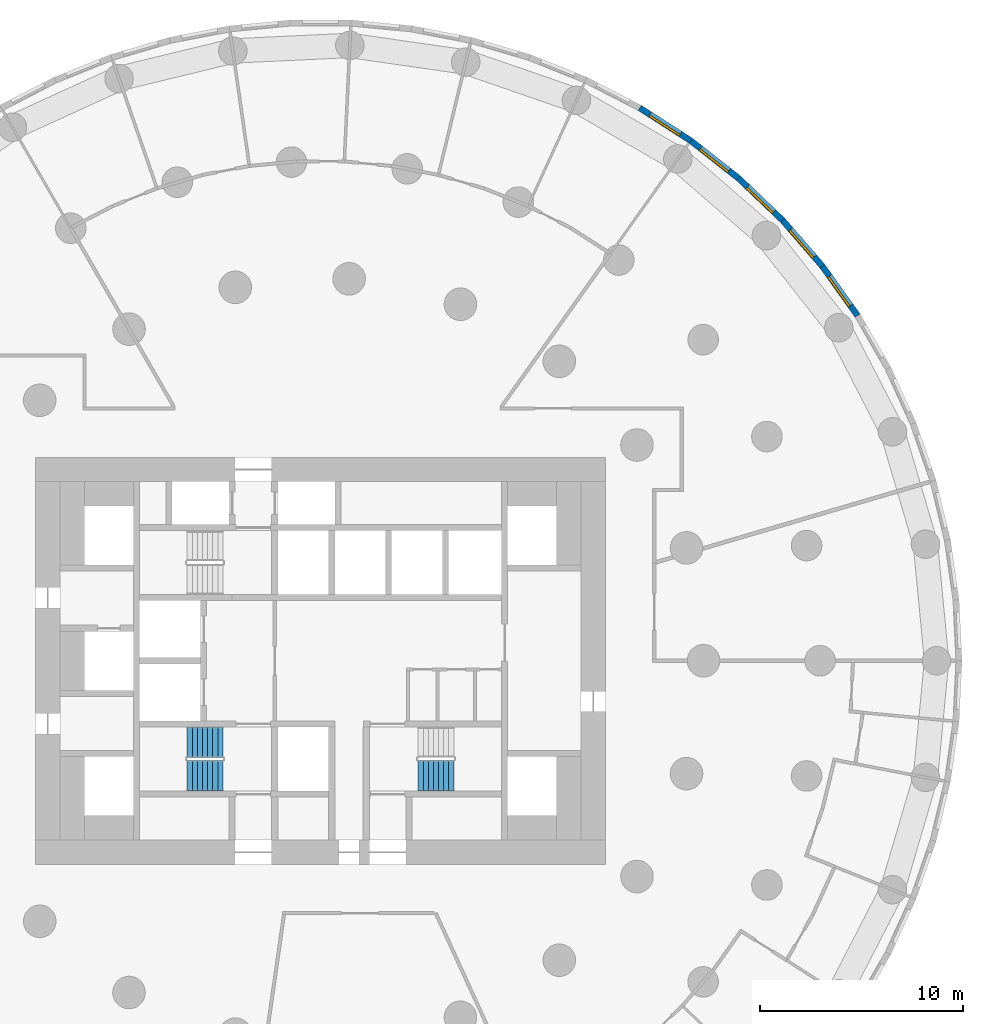
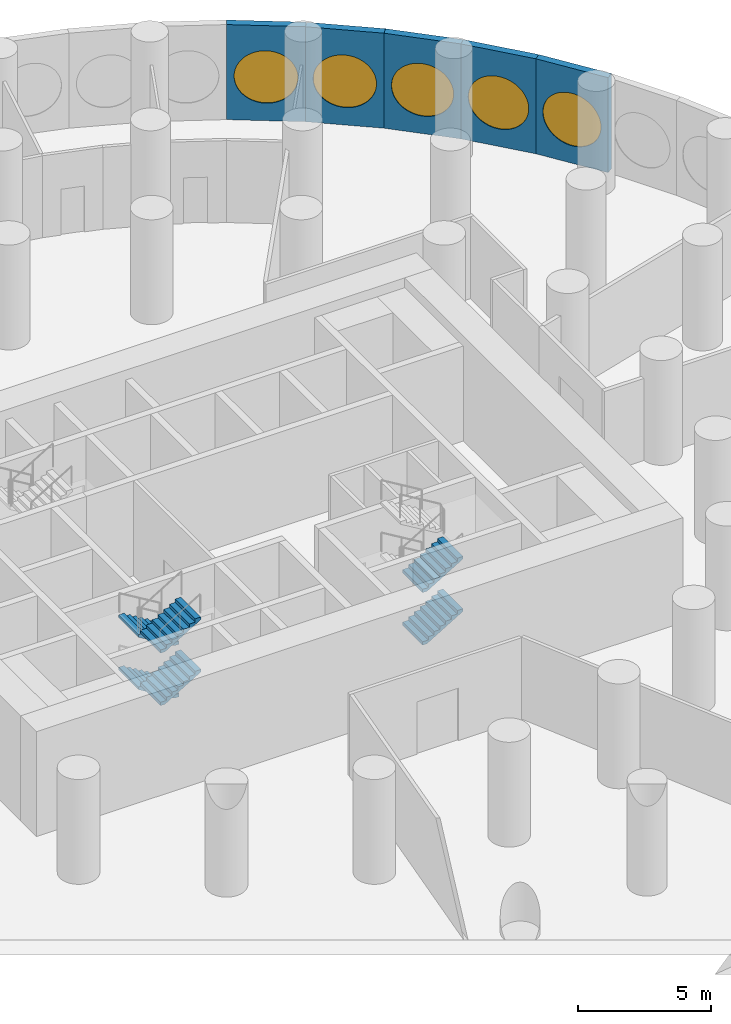
# One storey, part 9 of 11: 6 stair flights, 5 walls, 5 windows, 5 openings, 2 elements without a shape of their own.
"""IFC4 building model written with IfcOpenShell, lengths in metres."""

from ifc_helpers import new_model, si_unit, direction, frame, frame_2d, origin, origin_2d, place, context, subcontext, project, spatial, polyline, rectangle, circle, outline, extrude, material, layer, layer_set, type_object, element, fill, aggregate, save


model = new_model("IFC4")

# Units and contexts
model_context = context("Model", 3, precision=1e-05, world=origin(), true_north=direction((0.0, 1.0)))
body_context = subcontext(model_context, "Body", "Model", "MODEL_VIEW")
ifc_project = project(units=[si_unit("LENGTHUNIT", "METRE"), si_unit("AREAUNIT", "SQUARE_METRE"), si_unit("VOLUMEUNIT", "CUBIC_METRE"), si_unit("PLANEANGLEUNIT", "RADIAN"), si_unit("MASSUNIT", "GRAM", prefix="KILO")], contexts=[model_context])

# Site, building, storey
site_placement = place(None, origin())
site = spatial("IfcSite", under=ifc_project, at=site_placement, CompositionType="ELEMENT")
building_placement = place(site_placement, origin())
building = spatial("IfcBuilding", under=site, at=building_placement, Name="Tracery Tower", CompositionType="ELEMENT")
storey_placement = place(building_placement, frame((0.0, 0.0, 18.60009765625)))
storey = spatial("IfcBuildingStorey", under=building, at=storey_placement, Name="L03", CompositionType="ELEMENT", Elevation=18.60009765625)

# Wall, opening, window
ifc_material_1 = material(Name="Precast concrete C50/60", Category="concrete")
ifc_layer = layer(ifc_material_1, 0.300048828125)
ifc_layer_set = layer_set([ifc_layer], Name="Facade panel 3000 x 4350")
wall_type = type_object("IfcWallType", Name="Facade panel 3000 x 4350", PredefinedType="SOLIDWALL", material=ifc_layer_set)
wall_1_placement = place(storey_placement, frame((26.393798828125, 16.96240234375, 0.0), z_axis=(0.0, 0.0, 1.0), x_axis=(-0.580100533892, 0.814544885551, 0.0)))
wall_1 = element("IfcWall", 1, at=wall_1_placement, inside=storey, type_object=wall_type, Name="Facade panel 7 at L03", PredefinedType="SOLIDWALL", context=body_context, shape_type="SweptSolid", body=[
    extrude(rectangle(XDim=2.985595703125, YDim=0.300048828125, at=frame_2d((1.49267578125, 0.0))), origin(), (0.0, 0.0, 1.0), 4.349853515625),
])
opening_1_placement = place(wall_1_placement, frame((1.492919921875, 0.0, 2.0)))
opening_1 = element("IfcOpeningElement", 2, at=opening_1_placement, cuts=wall_1, Name="Opening WN2", PredefinedType="OPENING", context=body_context, shape_type="SweptSolid", body=[
    extrude(circle(Radius=1.199951171875, at=origin_2d()), frame((0.0, 0.159912109375, 0.0), z_axis=(0.0, -1.0, 0.0), x_axis=(1.0, 0.0, 0.0)), (0.0, 0.0, 1.0), 0.320068359375),
])
ifc_material_2 = material(Name="Aluminium frame with tinted double glazing", Category="aluminium")
window_type = type_object("IfcWindowType", Name="Round window 2400", PartitioningType="SINGLE_PANEL", PredefinedType="WINDOW", material=ifc_material_2)
window_1_placement = place(opening_1_placement, origin())
window_1 = element("IfcWindow", 3, at=window_1_placement, inside=storey, type_object=window_type, Name="Round window 7 at L03", OverallHeight=2.39990234375, OverallWidth=2.39990234375, PartitioningType="SINGLE_PANEL", PredefinedType="WINDOW", context=body_context, shape_type="SweptSolid", body=[
    extrude(circle(Radius=1.199951171875, at=origin_2d()), frame((0.0, 0.1201171875, 0.0), z_axis=(0.0, -1.0, 0.0), x_axis=(1.0, 0.0, 0.0)), (0.0, 0.0, 1.0), 0.10009765625),
])
fill(opening_1, window_1)

wall_2_placement = place(storey_placement, frame((24.661865234375, 19.394287109375, 0.0), z_axis=(0.0, 0.0, 1.0), x_axis=(-0.654809121128, 0.755794294029, 0.0)))
wall_2 = element("IfcWall", 4, at=wall_2_placement, inside=storey, type_object=wall_type, Name="Facade panel 8 at L03", PredefinedType="SOLIDWALL", context=body_context, shape_type="SweptSolid", body=[
    extrude(rectangle(XDim=2.98583984375, YDim=0.300048828125, at=frame_2d((1.492919921875, 0.0))), origin(), (0.0, 0.0, 1.0), 4.349853515625),
])
opening_2_placement = place(wall_2_placement, frame((1.492919921875, 0.0, 2.0)))
opening_2 = element("IfcOpeningElement", 5, at=opening_2_placement, cuts=wall_2, Name="Opening WN2", PredefinedType="OPENING", context=body_context, shape_type="SweptSolid", body=[
    extrude(circle(Radius=1.199951171875, at=origin_2d()), frame((0.0, 0.159912109375, 0.0), z_axis=(0.0, -1.0, 0.0), x_axis=(1.0, 0.0, 0.0)), (0.0, 0.0, 1.0), 0.320068359375),
])
window_2_placement = place(opening_2_placement, origin())
window_2 = element("IfcWindow", 6, at=window_2_placement, inside=storey, type_object=window_type, Name="Round window 8 at L03", OverallHeight=2.39990234375, OverallWidth=2.39990234375, PartitioningType="SINGLE_PANEL", PredefinedType="WINDOW", context=body_context, shape_type="SweptSolid", body=[
    extrude(circle(Radius=1.199951171875, at=origin_2d()), frame((0.0, 0.1201171875, 0.0), z_axis=(0.0, -1.0, 0.0), x_axis=(1.0, 0.0, 0.0)), (0.0, 0.0, 1.0), 0.10009765625),
])
fill(opening_2, window_2)

wall_3_placement = place(storey_placement, frame((22.706787109375, 21.65087890625, 0.0), z_axis=(0.0, 0.0, 1.0), x_axis=(-0.723750841228, 0.690061388444, 0.0)))
wall_3 = element("IfcWall", 7, at=wall_3_placement, inside=storey, type_object=wall_type, Name="Facade panel 9 at L03", PredefinedType="SOLIDWALL", context=body_context, shape_type="SweptSolid", body=[
    extrude(rectangle(XDim=2.985595703125, YDim=0.300048828125, at=frame_2d((1.49267578125, 0.0))), origin(), (0.0, 0.0, 1.0), 4.349853515625),
])
opening_3_placement = place(wall_3_placement, frame((1.492919921875, 0.0, 2.0)))
opening_3 = element("IfcOpeningElement", 8, at=opening_3_placement, cuts=wall_3, Name="Opening WN2", PredefinedType="OPENING", context=body_context, shape_type="SweptSolid", body=[
    extrude(circle(Radius=1.199951171875, at=origin_2d()), frame((0.0, 0.159912109375, 0.0), z_axis=(0.0, -1.0, 0.0), x_axis=(1.0, 0.0, 0.0)), (0.0, 0.0, 1.0), 0.320068359375),
])
window_3_placement = place(opening_3_placement, origin())
window_3 = element("IfcWindow", 9, at=window_3_placement, inside=storey, type_object=window_type, Name="Round window 9 at L03", OverallHeight=2.39990234375, OverallWidth=2.39990234375, PartitioningType="SINGLE_PANEL", PredefinedType="WINDOW", context=body_context, shape_type="SweptSolid", body=[
    extrude(circle(Radius=1.199951171875, at=origin_2d()), frame((0.0, 0.1201171875, 0.0), z_axis=(0.0, -1.0, 0.0), x_axis=(1.0, 0.0, 0.0)), (0.0, 0.0, 1.0), 0.10009765625),
])
fill(opening_3, window_3)

wall_4_placement = place(storey_placement, frame((20.5458984375, 23.711181640625, 0.0), z_axis=(0.0, 0.0, 1.0), x_axis=(-0.786043032847, 0.618171780747, 0.0)))
wall_4 = element("IfcWall", 10, at=wall_4_placement, inside=storey, type_object=wall_type, Name="Facade panel 10 at L03", PredefinedType="SOLIDWALL", context=body_context, shape_type="SweptSolid", body=[
    extrude(rectangle(XDim=2.98583984375, YDim=0.300048828125, at=frame_2d((1.492919921875, 0.0))), origin(), (0.0, 0.0, 1.0), 4.349853515625),
])
opening_4_placement = place(wall_4_placement, frame((1.492919921875, 0.0, 2.0)))
opening_4 = element("IfcOpeningElement", 11, at=opening_4_placement, cuts=wall_4, Name="Opening WN2", PredefinedType="OPENING", context=body_context, shape_type="SweptSolid", body=[
    extrude(circle(Radius=1.199951171875, at=origin_2d()), frame((0.0, 0.159912109375, 0.0), z_axis=(0.0, -1.0, 0.0), x_axis=(1.0, 0.0, 0.0)), (0.0, 0.0, 1.0), 0.320068359375),
])
window_4_placement = place(opening_4_placement, origin())
window_4 = element("IfcWindow", 12, at=window_4_placement, inside=storey, type_object=window_type, Name="Round window 10 at L03", OverallHeight=2.39990234375, OverallWidth=2.39990234375, PartitioningType="SINGLE_PANEL", PredefinedType="WINDOW", context=body_context, shape_type="SweptSolid", body=[
    extrude(circle(Radius=1.199951171875, at=origin_2d()), frame((0.0, 0.1201171875, 0.0), z_axis=(0.0, -1.0, 0.0), x_axis=(1.0, 0.0, 0.0)), (0.0, 0.0, 1.0), 0.10009765625),
])
fill(opening_4, window_4)

wall_5_placement = place(storey_placement, frame((18.198974609375, 25.556884765625, 0.0), z_axis=(0.0, 0.0, 1.0), x_axis=(-0.841242231846, 0.540658401727, 0.0)))
wall_5 = element("IfcWall", 13, at=wall_5_placement, inside=storey, type_object=wall_type, Name="Facade panel 11 at L03", PredefinedType="SOLIDWALL", context=body_context, shape_type="SweptSolid", body=[
    extrude(rectangle(XDim=2.98583984375, YDim=0.300048828125, at=frame_2d((1.492919921875, 0.0))), origin(), (0.0, 0.0, 1.0), 4.349853515625),
])
opening_5_placement = place(wall_5_placement, frame((1.492919921875, 0.0, 2.0)))
opening_5 = element("IfcOpeningElement", 14, at=opening_5_placement, cuts=wall_5, Name="Opening WN2", PredefinedType="OPENING", context=body_context, shape_type="SweptSolid", body=[
    extrude(circle(Radius=1.199951171875, at=origin_2d()), frame((0.0, 0.159912109375, 0.0), z_axis=(0.0, -1.0, 0.0), x_axis=(1.0, 0.0, 0.0)), (0.0, 0.0, 1.0), 0.320068359375),
])
window_5_placement = place(opening_5_placement, origin())
window_5 = element("IfcWindow", 15, at=window_5_placement, inside=storey, type_object=window_type, Name="Round window 11 at L03", OverallHeight=2.39990234375, OverallWidth=2.39990234375, PartitioningType="SINGLE_PANEL", PredefinedType="WINDOW", context=body_context, shape_type="SweptSolid", body=[
    extrude(circle(Radius=1.199951171875, at=origin_2d()), frame((0.0, 0.1201171875, 0.0), z_axis=(0.0, -1.0, 0.0), x_axis=(1.0, 0.0, 0.0)), (0.0, 0.0, 1.0), 0.10009765625),
])
fill(opening_5, window_5)

# Stair, stair flights
ifc_material_3 = material(Name="Concrete C32/40", Category="concrete")
stair_type = type_object("IfcStairType", Name="Core stair 32 risers", PredefinedType="HALF_TURN_STAIR", material=ifc_material_3)
stair_1_placement = place(storey_placement, origin())
stair_1 = element("IfcStair", 16, at=stair_1_placement, inside=storey, type_object=stair_type, Name="L03 stair ST1", PredefinedType="HALF_TURN_STAIR")
ifc_material_4 = material(Name="Concrete C32/40", Category="concrete")
stair_flight_type = type_object("IfcStairFlightType", Name="Core stair flight 8 risers", PredefinedType="STRAIGHT", material=ifc_material_4)
stair_flight_1_placement = place(storey_placement, frame((-4.800048828125, -4.0, 0.0), z_axis=(0.0, 0.0, 1.0), x_axis=(-1.0, 0.0, 0.0)))
stair_flight_1 = element("IfcStairFlight", 17, at=stair_flight_1_placement, type_object=stair_flight_type, Name="ST1 flight 1", NumberOfRisers=8, NumberOfTreads=7, PredefinedType="STRAIGHT", RiserHeight=0.15, TreadLength=0.25, context=body_context, shape_type="SweptSolid", body=[
    extrude(outline(polyline([(0.0, 0.0), (0.0, 0.00244140625), (0.0, 0.0048828125), (0.0, 0.00732421875), (0.0, 0.009765625), (0.0, 0.01220703125), (0.0, 0.0146484375), (0.0, 0.017333984375), (0.0, 0.019775390625), (0.0, 0.022216796875), (0.0, 0.024658203125), (0.0, 0.027099609375), (0.0, 0.029541015625), (0.0, 0.031982421875), (0.0, 0.034423828125), (0.0, 0.036865234375), (0.0, 0.039306640625), (0.0, 0.041748046875), (0.0, 0.044189453125), (0.0, 0.046630859375), (0.0, 0.049072265625), (0.0, 0.0517578125), (0.0, 0.05419921875), (0.0, 0.056640625), (0.0, 0.05908203125), (0.0, 0.0615234375), (0.0, 0.06396484375), (0.0, 0.06640625), (0.0, 0.06884765625), (0.0, 0.0712890625), (0.0, 0.07373046875), (0.0, 0.076171875), (0.0, 0.07861328125), (0.0, 0.0810546875), (0.0, 0.08349609375), (0.0, 0.086181640625), (0.0, 0.088623046875), (0.0, 0.091064453125), (0.0, 0.093505859375), (0.0, 0.095947265625), (0.0, 0.098388671875), (0.0, 0.100830078125), (0.0, 0.103271484375), (0.0, 0.105712890625), (0.0, 0.108154296875), (0.0, 0.110595703125), (0.0, 0.113037109375), (0.0, 0.115478515625), (0.0, 0.117919921875), (0.0, 0.12060546875), (0.0, 0.123046875), (0.0, 0.12548828125), (0.0, 0.1279296875), (0.0, 0.13037109375), (0.0, 0.1328125), (0.0, 0.13525390625), (0.0, 0.1376953125), (0.0, 0.14013671875), (0.0, 0.142578125), (0.0, 0.14501953125), (0.0, 0.1474609375), (0.0, 0.14990234375), (0.25, 0.14990234375), (0.25, 0.300048828125), (0.5, 0.300048828125), (0.5, 0.449951171875), (0.75, 0.449951171875), (0.75, 0.60009765625), (1.0, 0.60009765625), (1.0, 0.75), (1.25, 0.75), (1.25, 0.89990234375), (1.5, 0.89990234375), (1.5, 1.050048828125), (1.75, 1.050048828125), (1.75, 1.048095703125), (1.75, 1.046142578125), (1.75, 1.044189453125), (1.75, 1.042236328125), (1.75, 1.04052734375), (1.75, 1.03857421875), (1.75, 1.03662109375), (1.75, 1.03466796875), (1.75, 1.03271484375), (1.75, 1.03076171875), (1.75, 1.029052734375), (1.75, 1.027099609375), (1.75, 1.025146484375), (1.75, 1.023193359375), (1.75, 1.021240234375), (1.75, 1.019287109375), (1.75, 1.017578125), (1.75, 1.015625), (1.75, 1.013671875), (1.75, 1.01171875), (1.75, 1.009765625), (1.75, 1.0078125), (1.75, 1.006103515625), (1.75, 1.004150390625), (1.75, 1.002197265625), (1.75, 1.000244140625), (1.75, 0.998291015625), (1.75, 0.996337890625), (1.75, 0.994384765625), (1.75, 0.99267578125), (1.75, 0.99072265625), (1.75, 0.98876953125), (1.75, 0.98681640625), (1.75, 0.98486328125), (1.75, 0.98291015625), (1.75, 0.981201171875), (1.75, 0.979248046875), (1.75, 0.977294921875), (1.75, 0.975341796875), (1.75, 0.973388671875), (1.75, 0.971435546875), (1.75, 0.9697265625), (1.75, 0.9677734375), (1.75, 0.9658203125), (1.75, 0.9638671875), (1.75, 0.9619140625), (1.75, 0.9599609375), (1.75, 0.958251953125), (1.75, 0.956298828125), (1.75, 0.954345703125), (1.75, 0.952392578125), (1.75, 0.950439453125), (1.75, 0.948486328125), (1.75, 0.94677734375), (1.75, 0.94482421875), (1.75, 0.94287109375), (1.75, 0.94091796875), (1.75, 0.93896484375), (1.75, 0.93701171875), (1.75, 0.935302734375), (1.75, 0.933349609375), (0.194580078125, 0.0), (0.0, 0.0)])), frame((0.0, 0.75, 0.0), z_axis=(0.0, -1.0, 0.0), x_axis=(1.0, 0.0, 0.0)), (0.0, 0.0, 1.0), 1.5),
])
stair_flight_2_placement = place(storey_placement, frame((-6.550048828125, -5.64990234375, 1.199951171875), z_axis=(0.0, 0.0, 1.0), x_axis=(1.0, 0.0, 0.0)))
stair_flight_2 = element("IfcStairFlight", 18, at=stair_flight_2_placement, type_object=stair_flight_type, Name="ST1 flight 2", NumberOfRisers=8, NumberOfTreads=7, PredefinedType="STRAIGHT", RiserHeight=0.15, TreadLength=0.25, context=body_context, shape_type="SweptSolid", body=[
    extrude(outline(polyline([(0.0, 0.0), (0.0, 0.00244140625), (0.0, 0.0048828125), (0.0, 0.00732421875), (0.0, 0.009765625), (0.0, 0.01220703125), (0.0, 0.0146484375), (0.0, 0.017333984375), (0.0, 0.019775390625), (0.0, 0.022216796875), (0.0, 0.024658203125), (0.0, 0.027099609375), (0.0, 0.029541015625), (0.0, 0.031982421875), (0.0, 0.034423828125), (0.0, 0.036865234375), (0.0, 0.039306640625), (0.0, 0.041748046875), (0.0, 0.044189453125), (0.0, 0.046630859375), (0.0, 0.049072265625), (0.0, 0.0517578125), (0.0, 0.05419921875), (0.0, 0.056640625), (0.0, 0.05908203125), (0.0, 0.0615234375), (0.0, 0.06396484375), (0.0, 0.06640625), (0.0, 0.06884765625), (0.0, 0.0712890625), (0.0, 0.07373046875), (0.0, 0.076171875), (0.0, 0.07861328125), (0.0, 0.0810546875), (0.0, 0.08349609375), (0.0, 0.086181640625), (0.0, 0.088623046875), (0.0, 0.091064453125), (0.0, 0.093505859375), (0.0, 0.095947265625), (0.0, 0.098388671875), (0.0, 0.100830078125), (0.0, 0.103271484375), (0.0, 0.105712890625), (0.0, 0.108154296875), (0.0, 0.110595703125), (0.0, 0.113037109375), (0.0, 0.115478515625), (0.0, 0.117919921875), (0.0, 0.12060546875), (0.0, 0.123046875), (0.0, 0.12548828125), (0.0, 0.1279296875), (0.0, 0.13037109375), (0.0, 0.1328125), (0.0, 0.13525390625), (0.0, 0.1376953125), (0.0, 0.14013671875), (0.0, 0.142578125), (0.0, 0.14501953125), (0.0, 0.1474609375), (0.0, 0.14990234375), (0.25, 0.14990234375), (0.25, 0.300048828125), (0.5, 0.300048828125), (0.5, 0.449951171875), (0.75, 0.449951171875), (0.75, 0.60009765625), (1.0, 0.60009765625), (1.0, 0.75), (1.25, 0.75), (1.25, 0.89990234375), (1.5, 0.89990234375), (1.5, 1.050048828125), (1.75, 1.050048828125), (1.75, 1.048095703125), (1.75, 1.046142578125), (1.75, 1.044189453125), (1.75, 1.042236328125), (1.75, 1.04052734375), (1.75, 1.03857421875), (1.75, 1.03662109375), (1.75, 1.03466796875), (1.75, 1.03271484375), (1.75, 1.03076171875), (1.75, 1.029052734375), (1.75, 1.027099609375), (1.75, 1.025146484375), (1.75, 1.023193359375), (1.75, 1.021240234375), (1.75, 1.019287109375), (1.75, 1.017578125), (1.75, 1.015625), (1.75, 1.013671875), (1.75, 1.01171875), (1.75, 1.009765625), (1.75, 1.0078125), (1.75, 1.006103515625), (1.75, 1.004150390625), (1.75, 1.002197265625), (1.75, 1.000244140625), (1.75, 0.998291015625), (1.75, 0.996337890625), (1.75, 0.994384765625), (1.75, 0.99267578125), (1.75, 0.99072265625), (1.75, 0.98876953125), (1.75, 0.98681640625), (1.75, 0.98486328125), (1.75, 0.98291015625), (1.75, 0.981201171875), (1.75, 0.979248046875), (1.75, 0.977294921875), (1.75, 0.975341796875), (1.75, 0.973388671875), (1.75, 0.971435546875), (1.75, 0.9697265625), (1.75, 0.9677734375), (1.75, 0.9658203125), (1.75, 0.9638671875), (1.75, 0.9619140625), (1.75, 0.9599609375), (1.75, 0.958251953125), (1.75, 0.956298828125), (1.75, 0.954345703125), (1.75, 0.952392578125), (1.75, 0.950439453125), (1.75, 0.948486328125), (1.75, 0.94677734375), (1.75, 0.94482421875), (1.75, 0.94287109375), (1.75, 0.94091796875), (1.75, 0.93896484375), (1.75, 0.93701171875), (1.75, 0.935302734375), (1.75, 0.933349609375), (0.194580078125, 0.0), (0.0, 0.0)])), frame((0.0, 0.75, 0.0), z_axis=(0.0, -1.0, 0.0), x_axis=(1.0, 0.0, 0.0)), (0.0, 0.0, 1.0), 1.5),
])
stair_flight_3_placement = place(storey_placement, frame((-4.800048828125, -4.0, 2.39990234375), z_axis=(0.0, 0.0, 1.0), x_axis=(-1.0, 0.0, 0.0)))
stair_flight_3 = element("IfcStairFlight", 19, at=stair_flight_3_placement, type_object=stair_flight_type, Name="ST1 flight 3", NumberOfRisers=8, NumberOfTreads=7, PredefinedType="STRAIGHT", RiserHeight=0.15, TreadLength=0.25, context=body_context, shape_type="SweptSolid", body=[
    extrude(outline(polyline([(0.0, 0.0), (0.0, 0.00244140625), (0.0, 0.0048828125), (0.0, 0.00732421875), (0.0, 0.009765625), (0.0, 0.01220703125), (0.0, 0.0146484375), (0.0, 0.017333984375), (0.0, 0.019775390625), (0.0, 0.022216796875), (0.0, 0.024658203125), (0.0, 0.027099609375), (0.0, 0.029541015625), (0.0, 0.031982421875), (0.0, 0.034423828125), (0.0, 0.036865234375), (0.0, 0.039306640625), (0.0, 0.041748046875), (0.0, 0.044189453125), (0.0, 0.046630859375), (0.0, 0.049072265625), (0.0, 0.0517578125), (0.0, 0.05419921875), (0.0, 0.056640625), (0.0, 0.05908203125), (0.0, 0.0615234375), (0.0, 0.06396484375), (0.0, 0.06640625), (0.0, 0.06884765625), (0.0, 0.0712890625), (0.0, 0.07373046875), (0.0, 0.076171875), (0.0, 0.07861328125), (0.0, 0.0810546875), (0.0, 0.08349609375), (0.0, 0.086181640625), (0.0, 0.088623046875), (0.0, 0.091064453125), (0.0, 0.093505859375), (0.0, 0.095947265625), (0.0, 0.098388671875), (0.0, 0.100830078125), (0.0, 0.103271484375), (0.0, 0.105712890625), (0.0, 0.108154296875), (0.0, 0.110595703125), (0.0, 0.113037109375), (0.0, 0.115478515625), (0.0, 0.117919921875), (0.0, 0.12060546875), (0.0, 0.123046875), (0.0, 0.12548828125), (0.0, 0.1279296875), (0.0, 0.13037109375), (0.0, 0.1328125), (0.0, 0.13525390625), (0.0, 0.1376953125), (0.0, 0.14013671875), (0.0, 0.142578125), (0.0, 0.14501953125), (0.0, 0.1474609375), (0.0, 0.14990234375), (0.25, 0.14990234375), (0.25, 0.300048828125), (0.5, 0.300048828125), (0.5, 0.449951171875), (0.75, 0.449951171875), (0.75, 0.60009765625), (1.0, 0.60009765625), (1.0, 0.75), (1.25, 0.75), (1.25, 0.89990234375), (1.5, 0.89990234375), (1.5, 1.050048828125), (1.75, 1.050048828125), (1.75, 1.048095703125), (1.75, 1.046142578125), (1.75, 1.044189453125), (1.75, 1.042236328125), (1.75, 1.04052734375), (1.75, 1.03857421875), (1.75, 1.03662109375), (1.75, 1.03466796875), (1.75, 1.03271484375), (1.75, 1.03076171875), (1.75, 1.029052734375), (1.75, 1.027099609375), (1.75, 1.025146484375), (1.75, 1.023193359375), (1.75, 1.021240234375), (1.75, 1.019287109375), (1.75, 1.017578125), (1.75, 1.015625), (1.75, 1.013671875), (1.75, 1.01171875), (1.75, 1.009765625), (1.75, 1.0078125), (1.75, 1.006103515625), (1.75, 1.004150390625), (1.75, 1.002197265625), (1.75, 1.000244140625), (1.75, 0.998291015625), (1.75, 0.996337890625), (1.75, 0.994384765625), (1.75, 0.99267578125), (1.75, 0.99072265625), (1.75, 0.98876953125), (1.75, 0.98681640625), (1.75, 0.98486328125), (1.75, 0.98291015625), (1.75, 0.981201171875), (1.75, 0.979248046875), (1.75, 0.977294921875), (1.75, 0.975341796875), (1.75, 0.973388671875), (1.75, 0.971435546875), (1.75, 0.9697265625), (1.75, 0.9677734375), (1.75, 0.9658203125), (1.75, 0.9638671875), (1.75, 0.9619140625), (1.75, 0.9599609375), (1.75, 0.958251953125), (1.75, 0.956298828125), (1.75, 0.954345703125), (1.75, 0.952392578125), (1.75, 0.950439453125), (1.75, 0.948486328125), (1.75, 0.94677734375), (1.75, 0.94482421875), (1.75, 0.94287109375), (1.75, 0.94091796875), (1.75, 0.93896484375), (1.75, 0.93701171875), (1.75, 0.935302734375), (1.75, 0.933349609375), (0.194580078125, 0.0), (0.0, 0.0)])), frame((0.0, 0.75, 0.0), z_axis=(0.0, -1.0, 0.0), x_axis=(1.0, 0.0, 0.0)), (0.0, 0.0, 1.0), 1.5),
])
stair_flight_4_placement = place(storey_placement, frame((-6.550048828125, -5.64990234375, 3.599853515625), z_axis=(0.0, 0.0, 1.0), x_axis=(1.0, 0.0, 0.0)))
stair_flight_4 = element("IfcStairFlight", 20, at=stair_flight_4_placement, type_object=stair_flight_type, Name="ST1 flight 4", NumberOfRisers=8, NumberOfTreads=7, PredefinedType="STRAIGHT", RiserHeight=0.15, TreadLength=0.25, context=body_context, shape_type="SweptSolid", body=[
    extrude(outline(polyline([(0.0, 0.0), (0.0, 0.00244140625), (0.0, 0.0048828125), (0.0, 0.00732421875), (0.0, 0.009765625), (0.0, 0.01220703125), (0.0, 0.0146484375), (0.0, 0.017333984375), (0.0, 0.019775390625), (0.0, 0.022216796875), (0.0, 0.024658203125), (0.0, 0.027099609375), (0.0, 0.029541015625), (0.0, 0.031982421875), (0.0, 0.034423828125), (0.0, 0.036865234375), (0.0, 0.039306640625), (0.0, 0.041748046875), (0.0, 0.044189453125), (0.0, 0.046630859375), (0.0, 0.049072265625), (0.0, 0.0517578125), (0.0, 0.05419921875), (0.0, 0.056640625), (0.0, 0.05908203125), (0.0, 0.0615234375), (0.0, 0.06396484375), (0.0, 0.06640625), (0.0, 0.06884765625), (0.0, 0.0712890625), (0.0, 0.07373046875), (0.0, 0.076171875), (0.0, 0.07861328125), (0.0, 0.0810546875), (0.0, 0.08349609375), (0.0, 0.086181640625), (0.0, 0.088623046875), (0.0, 0.091064453125), (0.0, 0.093505859375), (0.0, 0.095947265625), (0.0, 0.098388671875), (0.0, 0.100830078125), (0.0, 0.103271484375), (0.0, 0.105712890625), (0.0, 0.108154296875), (0.0, 0.110595703125), (0.0, 0.113037109375), (0.0, 0.115478515625), (0.0, 0.117919921875), (0.0, 0.12060546875), (0.0, 0.123046875), (0.0, 0.12548828125), (0.0, 0.1279296875), (0.0, 0.13037109375), (0.0, 0.1328125), (0.0, 0.13525390625), (0.0, 0.1376953125), (0.0, 0.14013671875), (0.0, 0.142578125), (0.0, 0.14501953125), (0.0, 0.1474609375), (0.0, 0.14990234375), (0.25, 0.14990234375), (0.25, 0.300048828125), (0.5, 0.300048828125), (0.5, 0.449951171875), (0.75, 0.449951171875), (0.75, 0.60009765625), (1.0, 0.60009765625), (1.0, 0.75), (1.25, 0.75), (1.25, 0.89990234375), (1.5, 0.89990234375), (1.5, 1.050048828125), (1.75, 1.050048828125), (1.75, 1.048095703125), (1.75, 1.046142578125), (1.75, 1.044189453125), (1.75, 1.042236328125), (1.75, 1.04052734375), (1.75, 1.03857421875), (1.75, 1.03662109375), (1.75, 1.03466796875), (1.75, 1.03271484375), (1.75, 1.03076171875), (1.75, 1.029052734375), (1.75, 1.027099609375), (1.75, 1.025146484375), (1.75, 1.023193359375), (1.75, 1.021240234375), (1.75, 1.019287109375), (1.75, 1.017578125), (1.75, 1.015625), (1.75, 1.013671875), (1.75, 1.01171875), (1.75, 1.009765625), (1.75, 1.0078125), (1.75, 1.006103515625), (1.75, 1.004150390625), (1.75, 1.002197265625), (1.75, 1.000244140625), (1.75, 0.998291015625), (1.75, 0.996337890625), (1.75, 0.994384765625), (1.75, 0.99267578125), (1.75, 0.99072265625), (1.75, 0.98876953125), (1.75, 0.98681640625), (1.75, 0.98486328125), (1.75, 0.98291015625), (1.75, 0.981201171875), (1.75, 0.979248046875), (1.75, 0.977294921875), (1.75, 0.975341796875), (1.75, 0.973388671875), (1.75, 0.971435546875), (1.75, 0.9697265625), (1.75, 0.9677734375), (1.75, 0.9658203125), (1.75, 0.9638671875), (1.75, 0.9619140625), (1.75, 0.9599609375), (1.75, 0.958251953125), (1.75, 0.956298828125), (1.75, 0.954345703125), (1.75, 0.952392578125), (1.75, 0.950439453125), (1.75, 0.948486328125), (1.75, 0.94677734375), (1.75, 0.94482421875), (1.75, 0.94287109375), (1.75, 0.94091796875), (1.75, 0.93896484375), (1.75, 0.93701171875), (1.75, 0.935302734375), (1.75, 0.933349609375), (0.194580078125, 0.0), (0.0, 0.0)])), frame((0.0, 0.75, 0.0), z_axis=(0.0, -1.0, 0.0), x_axis=(1.0, 0.0, 0.0)), (0.0, 0.0, 1.0), 1.5),
])
aggregate(stair_1, [stair_flight_1, stair_flight_2, stair_flight_3, stair_flight_4])

stair_2_placement = place(storey_placement, origin())
stair_2 = element("IfcStair", 21, at=stair_2_placement, inside=storey, type_object=stair_type, Name="L03 stair ST2", PredefinedType="HALF_TURN_STAIR")
stair_flight_5_placement = place(storey_placement, frame((4.800048828125, -5.64990234375, 0.0), z_axis=(0.0, 0.0, 1.0), x_axis=(1.0, 0.0, 0.0)))
stair_flight_5 = element("IfcStairFlight", 22, at=stair_flight_5_placement, type_object=stair_flight_type, Name="ST2 flight 1", NumberOfRisers=8, NumberOfTreads=7, PredefinedType="STRAIGHT", RiserHeight=0.15, TreadLength=0.25, context=body_context, shape_type="SweptSolid", body=[
    extrude(outline(polyline([(0.0, 0.0), (0.0, 0.00244140625), (0.0, 0.0048828125), (0.0, 0.00732421875), (0.0, 0.009765625), (0.0, 0.01220703125), (0.0, 0.0146484375), (0.0, 0.017333984375), (0.0, 0.019775390625), (0.0, 0.022216796875), (0.0, 0.024658203125), (0.0, 0.027099609375), (0.0, 0.029541015625), (0.0, 0.031982421875), (0.0, 0.034423828125), (0.0, 0.036865234375), (0.0, 0.039306640625), (0.0, 0.041748046875), (0.0, 0.044189453125), (0.0, 0.046630859375), (0.0, 0.049072265625), (0.0, 0.0517578125), (0.0, 0.05419921875), (0.0, 0.056640625), (0.0, 0.05908203125), (0.0, 0.0615234375), (0.0, 0.06396484375), (0.0, 0.06640625), (0.0, 0.06884765625), (0.0, 0.0712890625), (0.0, 0.07373046875), (0.0, 0.076171875), (0.0, 0.07861328125), (0.0, 0.0810546875), (0.0, 0.08349609375), (0.0, 0.086181640625), (0.0, 0.088623046875), (0.0, 0.091064453125), (0.0, 0.093505859375), (0.0, 0.095947265625), (0.0, 0.098388671875), (0.0, 0.100830078125), (0.0, 0.103271484375), (0.0, 0.105712890625), (0.0, 0.108154296875), (0.0, 0.110595703125), (0.0, 0.113037109375), (0.0, 0.115478515625), (0.0, 0.117919921875), (0.0, 0.12060546875), (0.0, 0.123046875), (0.0, 0.12548828125), (0.0, 0.1279296875), (0.0, 0.13037109375), (0.0, 0.1328125), (0.0, 0.13525390625), (0.0, 0.1376953125), (0.0, 0.14013671875), (0.0, 0.142578125), (0.0, 0.14501953125), (0.0, 0.1474609375), (0.0, 0.14990234375), (0.25, 0.14990234375), (0.25, 0.300048828125), (0.5, 0.300048828125), (0.5, 0.449951171875), (0.75, 0.449951171875), (0.75, 0.60009765625), (1.0, 0.60009765625), (1.0, 0.75), (1.25, 0.75), (1.25, 0.89990234375), (1.5, 0.89990234375), (1.5, 1.050048828125), (1.75, 1.050048828125), (1.75, 1.048095703125), (1.75, 1.046142578125), (1.75, 1.044189453125), (1.75, 1.042236328125), (1.75, 1.04052734375), (1.75, 1.03857421875), (1.75, 1.03662109375), (1.75, 1.03466796875), (1.75, 1.03271484375), (1.75, 1.03076171875), (1.75, 1.029052734375), (1.75, 1.027099609375), (1.75, 1.025146484375), (1.75, 1.023193359375), (1.75, 1.021240234375), (1.75, 1.019287109375), (1.75, 1.017578125), (1.75, 1.015625), (1.75, 1.013671875), (1.75, 1.01171875), (1.75, 1.009765625), (1.75, 1.0078125), (1.75, 1.006103515625), (1.75, 1.004150390625), (1.75, 1.002197265625), (1.75, 1.000244140625), (1.75, 0.998291015625), (1.75, 0.996337890625), (1.75, 0.994384765625), (1.75, 0.99267578125), (1.75, 0.99072265625), (1.75, 0.98876953125), (1.75, 0.98681640625), (1.75, 0.98486328125), (1.75, 0.98291015625), (1.75, 0.981201171875), (1.75, 0.979248046875), (1.75, 0.977294921875), (1.75, 0.975341796875), (1.75, 0.973388671875), (1.75, 0.971435546875), (1.75, 0.9697265625), (1.75, 0.9677734375), (1.75, 0.9658203125), (1.75, 0.9638671875), (1.75, 0.9619140625), (1.75, 0.9599609375), (1.75, 0.958251953125), (1.75, 0.956298828125), (1.75, 0.954345703125), (1.75, 0.952392578125), (1.75, 0.950439453125), (1.75, 0.948486328125), (1.75, 0.94677734375), (1.75, 0.94482421875), (1.75, 0.94287109375), (1.75, 0.94091796875), (1.75, 0.93896484375), (1.75, 0.93701171875), (1.75, 0.935302734375), (1.75, 0.933349609375), (0.194580078125, 0.0), (0.0, 0.0)])), frame((0.0, 0.75, 0.0), z_axis=(0.0, -1.0, 0.0), x_axis=(1.0, 0.0, 0.0)), (0.0, 0.0, 1.0), 1.5),
])
stair_flight_6_placement = place(storey_placement, frame((4.800048828125, -5.64990234375, 2.39990234375), z_axis=(0.0, 0.0, 1.0), x_axis=(1.0, 0.0, 0.0)))
stair_flight_6 = element("IfcStairFlight", 23, at=stair_flight_6_placement, type_object=stair_flight_type, Name="ST2 flight 3", NumberOfRisers=8, NumberOfTreads=7, PredefinedType="STRAIGHT", RiserHeight=0.15, TreadLength=0.25, context=body_context, shape_type="SweptSolid", body=[
    extrude(outline(polyline([(0.0, 0.0), (0.0, 0.00244140625), (0.0, 0.0048828125), (0.0, 0.00732421875), (0.0, 0.009765625), (0.0, 0.01220703125), (0.0, 0.0146484375), (0.0, 0.017333984375), (0.0, 0.019775390625), (0.0, 0.022216796875), (0.0, 0.024658203125), (0.0, 0.027099609375), (0.0, 0.029541015625), (0.0, 0.031982421875), (0.0, 0.034423828125), (0.0, 0.036865234375), (0.0, 0.039306640625), (0.0, 0.041748046875), (0.0, 0.044189453125), (0.0, 0.046630859375), (0.0, 0.049072265625), (0.0, 0.0517578125), (0.0, 0.05419921875), (0.0, 0.056640625), (0.0, 0.05908203125), (0.0, 0.0615234375), (0.0, 0.06396484375), (0.0, 0.06640625), (0.0, 0.06884765625), (0.0, 0.0712890625), (0.0, 0.07373046875), (0.0, 0.076171875), (0.0, 0.07861328125), (0.0, 0.0810546875), (0.0, 0.08349609375), (0.0, 0.086181640625), (0.0, 0.088623046875), (0.0, 0.091064453125), (0.0, 0.093505859375), (0.0, 0.095947265625), (0.0, 0.098388671875), (0.0, 0.100830078125), (0.0, 0.103271484375), (0.0, 0.105712890625), (0.0, 0.108154296875), (0.0, 0.110595703125), (0.0, 0.113037109375), (0.0, 0.115478515625), (0.0, 0.117919921875), (0.0, 0.12060546875), (0.0, 0.123046875), (0.0, 0.12548828125), (0.0, 0.1279296875), (0.0, 0.13037109375), (0.0, 0.1328125), (0.0, 0.13525390625), (0.0, 0.1376953125), (0.0, 0.14013671875), (0.0, 0.142578125), (0.0, 0.14501953125), (0.0, 0.1474609375), (0.0, 0.14990234375), (0.25, 0.14990234375), (0.25, 0.300048828125), (0.5, 0.300048828125), (0.5, 0.449951171875), (0.75, 0.449951171875), (0.75, 0.60009765625), (1.0, 0.60009765625), (1.0, 0.75), (1.25, 0.75), (1.25, 0.89990234375), (1.5, 0.89990234375), (1.5, 1.050048828125), (1.75, 1.050048828125), (1.75, 1.048095703125), (1.75, 1.046142578125), (1.75, 1.044189453125), (1.75, 1.042236328125), (1.75, 1.04052734375), (1.75, 1.03857421875), (1.75, 1.03662109375), (1.75, 1.03466796875), (1.75, 1.03271484375), (1.75, 1.03076171875), (1.75, 1.029052734375), (1.75, 1.027099609375), (1.75, 1.025146484375), (1.75, 1.023193359375), (1.75, 1.021240234375), (1.75, 1.019287109375), (1.75, 1.017578125), (1.75, 1.015625), (1.75, 1.013671875), (1.75, 1.01171875), (1.75, 1.009765625), (1.75, 1.0078125), (1.75, 1.006103515625), (1.75, 1.004150390625), (1.75, 1.002197265625), (1.75, 1.000244140625), (1.75, 0.998291015625), (1.75, 0.996337890625), (1.75, 0.994384765625), (1.75, 0.99267578125), (1.75, 0.99072265625), (1.75, 0.98876953125), (1.75, 0.98681640625), (1.75, 0.98486328125), (1.75, 0.98291015625), (1.75, 0.981201171875), (1.75, 0.979248046875), (1.75, 0.977294921875), (1.75, 0.975341796875), (1.75, 0.973388671875), (1.75, 0.971435546875), (1.75, 0.9697265625), (1.75, 0.9677734375), (1.75, 0.9658203125), (1.75, 0.9638671875), (1.75, 0.9619140625), (1.75, 0.9599609375), (1.75, 0.958251953125), (1.75, 0.956298828125), (1.75, 0.954345703125), (1.75, 0.952392578125), (1.75, 0.950439453125), (1.75, 0.948486328125), (1.75, 0.94677734375), (1.75, 0.94482421875), (1.75, 0.94287109375), (1.75, 0.94091796875), (1.75, 0.93896484375), (1.75, 0.93701171875), (1.75, 0.935302734375), (1.75, 0.933349609375), (0.194580078125, 0.0), (0.0, 0.0)])), frame((0.0, 0.75, 0.0), z_axis=(0.0, -1.0, 0.0), x_axis=(1.0, 0.0, 0.0)), (0.0, 0.0, 1.0), 1.5),
])
aggregate(stair_2, [stair_flight_5, stair_flight_6])

save(model, "model.ifc")
